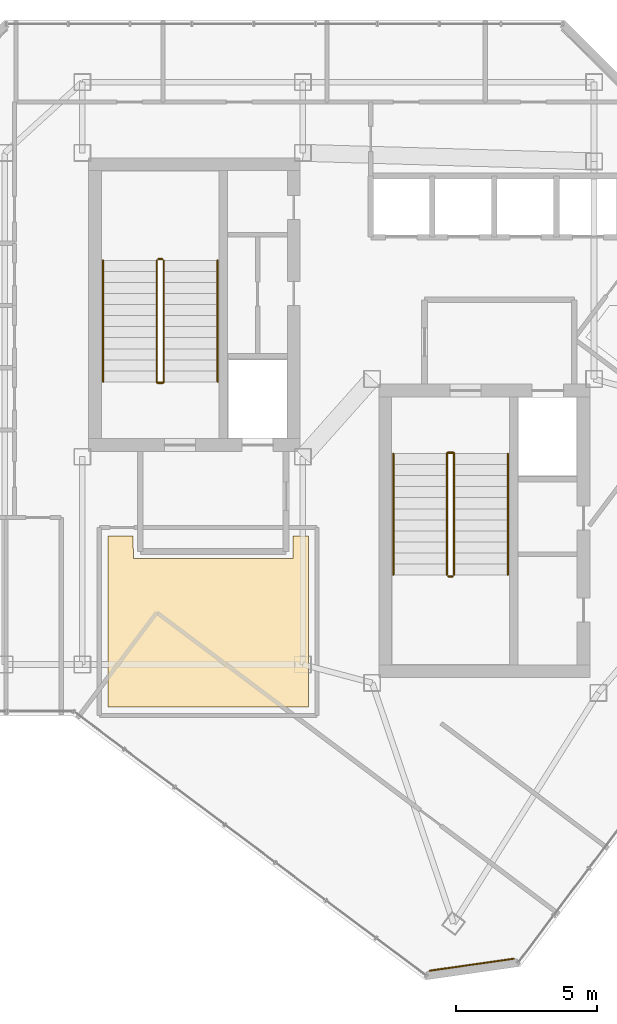
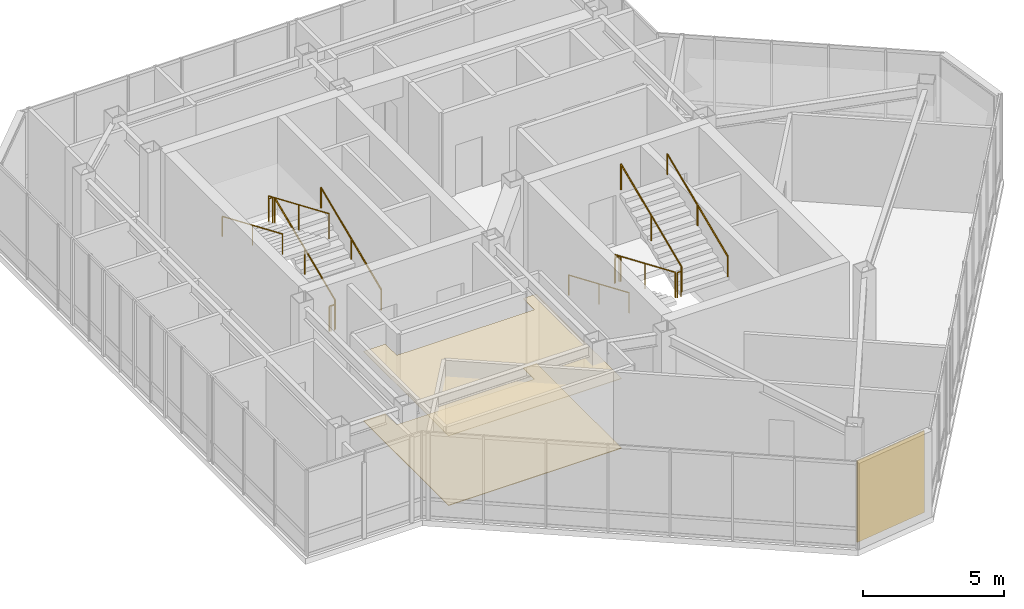
# One storey, part 28 of 29: 14 railings, 3 coverings.
"""IFC4 building model written with IfcOpenShell, lengths in metres."""

from ifc_helpers import new_model, si_unit, direction, frame, origin, origin_2d, place, context, subcontext, project, spatial, polyline, rectangle, circle, outline, extrude, material, layer, layer_set, type_object, element, save


model = new_model("IFC4")

# Units and contexts
model_context = context("Model", 3, precision=1e-05, world=origin(), true_north=direction((0.0, 1.0)))
body_context = subcontext(model_context, "Body", "Model", "MODEL_VIEW")
ifc_project = project(units=[si_unit("LENGTHUNIT", "METRE"), si_unit("AREAUNIT", "SQUARE_METRE"), si_unit("VOLUMEUNIT", "CUBIC_METRE"), si_unit("PLANEANGLEUNIT", "RADIAN"), si_unit("MASSUNIT", "GRAM", prefix="KILO")], contexts=[model_context])

# Site, building, storey
site_placement = place(None, origin())
site = spatial("IfcSite", under=ifc_project, at=site_placement, CompositionType="ELEMENT")
building_placement = place(site_placement, origin())
building = spatial("IfcBuilding", under=site, at=building_placement, Name="Hatsunagi Terrace Concourse", CompositionType="ELEMENT")
storey_placement = place(building_placement, frame((0.0, 0.0, 277.949951171875)))
storey = spatial("IfcBuildingStorey", under=building, at=storey_placement, Name="L73", CompositionType="ELEMENT", Elevation=277.949951171875)

# Coverings
ifc_material_1 = material(Name="Acoustic mineral board", Category="gypsum")
ifc_layer_1 = layer(ifc_material_1, 0.02001953125)
ifc_layer_set_1 = layer_set([ifc_layer_1], Name="AcousticMineralCeiling_20")
covering_type_1 = type_object("IfcCoveringType", Name="AcousticMineralCeiling_20", PredefinedType="CEILING", material=ifc_layer_set_1)
covering_1_placement = place(storey_placement, frame((0.0, 0.0, 3.02001953125)))
element("IfcCovering", 1, at=covering_1_placement, inside=storey, type_object=covering_type_1, Name="Suspended Ceiling L73-1", PredefinedType="CEILING", context=body_context, shape_type="SweptSolid", body=[
    extrude(outline(polyline([(33.550048828125, 29.75), (33.006103515625, 29.75), (32.9990234375, 28.94189453125), (27.35205078125, 28.94189453125), (27.343994140625, 29.75), (26.449951171875, 29.75), (26.449951171875, 23.699951171875), (33.550048828125, 23.699951171875), (33.550048828125, 29.75)])), origin(), (0.0, 0.0, 1.0), 0.02001953125),
])
ifc_material_2 = material(Name="Granite stone paving", Category="masonry")
ifc_layer_2 = layer(ifc_material_2, 0.02490234375)
ifc_layer_set_2 = layer_set([ifc_layer_2], Name="GraniteStoneFlooring_25")
covering_type_2 = type_object("IfcCoveringType", Name="GraniteStoneFlooring_25", PredefinedType="FLOORING", material=ifc_layer_set_2)
covering_2_placement = place(storey_placement, origin())
element("IfcCovering", 2, at=covering_2_placement, inside=storey, type_object=covering_type_2, Name="Finished Flooring L73-1", PredefinedType="FLOORING", context=body_context, shape_type="SweptSolid", body=[
    extrude(outline(polyline([(33.550048828125, 29.75), (33.006103515625, 29.75), (32.9990234375, 28.94189453125), (27.35205078125, 28.94189453125), (27.343994140625, 29.75), (26.449951171875, 29.75), (26.449951171875, 23.699951171875), (33.550048828125, 23.699951171875), (33.550048828125, 29.75)])), origin(), (0.0, 0.0, 1.0), 0.025146484375),
])

# Railings
ifc_material_3 = material(Name="Stainless steel", Category="steel")
ifc_layer_3 = layer(ifc_material_3, 0.044921875)
ifc_layer_set_3 = layer_set([ifc_layer_3], Name="StairPitchHandrail_Tower2000")
railing_type_1 = type_object("IfcRailingType", Name="StairPitchHandrail_Tower2000", PredefinedType="HANDRAIL", material=ifc_layer_set_3)
railing_1_placement = place(storey_placement, frame((30.330078125, 35.199951171875, 0.166748046875)))
element("IfcRailing", 3, at=railing_1_placement, inside=storey, type_object=railing_type_1, Name="L73 ST-A stair handrail 1", PredefinedType="HANDRAIL", context=body_context, shape_type="SweptSolid", body=[
    extrude(circle(Radius=0.02392578125, at=origin_2d()), frame((0.0, 0.0, 0.8759765625), z_axis=(0.0, 0.919558658016, 0.39295276366), x_axis=(-1.0, 0.0, 0.0)), (0.0, 0.0, 1.0), 4.665283203125),
    extrude(circle(Radius=0.02099609375, at=origin_2d()), origin(), (0.0, 0.0, 1.0), 0.851806640625),
    extrude(circle(Radius=0.02099609375, at=origin_2d()), frame((0.0, 2.14501953125, 0.91650390625)), (0.0, 0.0, 1.0), 0.851806640625),
    extrude(circle(Radius=0.02099609375, at=origin_2d()), frame((0.0, 4.2900390625, 1.833251953125)), (0.0, 0.0, 1.0), 0.851806640625),
])
railing_2_placement = place(storey_placement, frame((26.280029296875, 39.489990234375, 2.166748046875)))
element("IfcRailing", 4, at=railing_2_placement, inside=storey, type_object=railing_type_1, Name="L73 ST-A stair handrail 2", PredefinedType="HANDRAIL", context=body_context, shape_type="SweptSolid", body=[
    extrude(circle(Radius=0.02392578125, at=origin_2d()), frame((0.0, 0.0, 0.8759765625), z_axis=(0.0, -0.919558658016, 0.39295276366), x_axis=(1.0, 0.0, 0.0)), (0.0, 0.0, 1.0), 4.665283203125),
    extrude(circle(Radius=0.02099609375, at=origin_2d()), origin(), (0.0, 0.0, 1.0), 0.851806640625),
    extrude(circle(Radius=0.02099609375, at=origin_2d()), frame((0.0, -2.14501953125, 0.91650390625)), (0.0, 0.0, 1.0), 0.851806640625),
    extrude(circle(Radius=0.02099609375, at=origin_2d()), frame((0.0, -4.2900390625, 1.833251953125)), (0.0, 0.0, 1.0), 0.851806640625),
])
railing_3_placement = place(storey_placement, frame((36.550048828125, 32.659912109375, 0.166748046875)))
element("IfcRailing", 5, at=railing_3_placement, inside=storey, type_object=railing_type_1, Name="L73 ST-B stair handrail 1", PredefinedType="HANDRAIL", context=body_context, shape_type="SweptSolid", body=[
    extrude(circle(Radius=0.02392578125, at=origin_2d()), frame((0.0, 0.0, 0.8759765625), z_axis=(0.0, -0.919550576919, 0.392971673899), x_axis=(1.0, 0.0, 0.0)), (0.0, 0.0, 1.0), 4.6650390625),
    extrude(circle(Radius=0.02099609375, at=origin_2d()), origin(), (0.0, 0.0, 1.0), 0.851806640625),
    extrude(circle(Radius=0.02099609375, at=origin_2d()), frame((0.0, -2.14501953125, 0.91650390625)), (0.0, 0.0, 1.0), 0.851806640625),
    extrude(circle(Radius=0.02099609375, at=origin_2d()), frame((0.0, -4.289794921875, 1.833251953125)), (0.0, 0.0, 1.0), 0.851806640625),
])
railing_4_placement = place(storey_placement, frame((40.60009765625, 28.3701171875, 2.166748046875)))
element("IfcRailing", 6, at=railing_4_placement, inside=storey, type_object=railing_type_1, Name="L73 ST-B stair handrail 2", PredefinedType="HANDRAIL", context=body_context, shape_type="SweptSolid", body=[
    extrude(circle(Radius=0.02392578125, at=origin_2d()), frame((0.0, 0.0, 0.8759765625), z_axis=(0.0, 0.919550576919, 0.392971673899), x_axis=(-1.0, 0.0, 0.0)), (0.0, 0.0, 1.0), 4.6650390625),
    extrude(circle(Radius=0.02099609375, at=origin_2d()), origin(), (0.0, 0.0, 1.0), 0.851806640625),
    extrude(circle(Radius=0.02099609375, at=origin_2d()), frame((0.0, 2.14501953125, 0.91650390625)), (0.0, 0.0, 1.0), 0.851806640625),
    extrude(circle(Radius=0.02099609375, at=origin_2d()), frame((0.0, 4.289794921875, 1.833251953125)), (0.0, 0.0, 1.0), 0.851806640625),
])
ifc_material_4 = material(Name="Stainless steel", Category="steel")
ifc_layer_4 = layer(ifc_material_4, 0.06005859375)
ifc_layer_set_4 = layer_set([ifc_layer_4], Name="StairWellGuard_Tower2000")
railing_type_2 = type_object("IfcRailingType", Name="StairWellGuard_Tower2000", PredefinedType="BALUSTRADE", material=ifc_layer_set_4)
railing_5_placement = place(storey_placement, frame((28.429931640625, 35.199951171875, 0.166748046875)))
element("IfcRailing", 7, at=railing_5_placement, inside=storey, type_object=railing_type_2, Name="L73 ST-A stair guard 1", PredefinedType="BALUSTRADE", context=body_context, shape_type="SweptSolid", body=[
    extrude(circle(Radius=0.02392578125, at=origin_2d()), frame((0.0, 0.0, 1.09619140625), z_axis=(0.0, 0.919558658016, 0.39295276366), x_axis=(-1.0, 0.0, 0.0)), (0.0, 0.0, 1.0), 4.665283203125),
    extrude(circle(Radius=0.02099609375, at=origin_2d()), origin(), (0.0, 0.0, 1.0), 1.072021484375),
    extrude(circle(Radius=0.02099609375, at=origin_2d()), frame((0.0, 2.14501953125, 0.91650390625)), (0.0, 0.0, 1.0), 1.072021484375),
    extrude(circle(Radius=0.02099609375, at=origin_2d()), frame((0.0, 4.2900390625, 1.833251953125)), (0.0, 0.0, 1.0), 1.072021484375),
])
railing_6_placement = place(storey_placement, frame((28.3798828125, 39.5400390625, 2.0)))
element("IfcRailing", 8, at=railing_6_placement, inside=storey, type_object=railing_type_2, Name="L73 ST-A stair guard 2", PredefinedType="BALUSTRADE", context=body_context, shape_type="SweptSolid", body=[
    extrude(circle(Radius=0.02392578125, at=origin_2d()), frame((0.0, 0.0, 1.09619140625), z_axis=(-1.0, 0.0, 0.0), x_axis=(0.0, -1.0, 0.0)), (0.0, 0.0, 1.0), 0.14990234375),
    extrude(circle(Radius=0.02099609375, at=origin_2d()), origin(), (0.0, 0.0, 1.0), 1.072021484375),
    extrude(circle(Radius=0.02099609375, at=origin_2d()), frame((-0.14990234375, 0.0, 0.0)), (0.0, 0.0, 1.0), 1.072021484375),
])
railing_7_placement = place(storey_placement, frame((28.179931640625, 39.489990234375, 2.166748046875)))
element("IfcRailing", 9, at=railing_7_placement, inside=storey, type_object=railing_type_2, Name="L73 ST-A stair guard 3", PredefinedType="BALUSTRADE", context=body_context, shape_type="SweptSolid", body=[
    extrude(circle(Radius=0.02392578125, at=origin_2d()), frame((0.0, 0.0, 1.09619140625), z_axis=(0.0, -0.919558658016, 0.39295276366), x_axis=(1.0, 0.0, 0.0)), (0.0, 0.0, 1.0), 4.665283203125),
    extrude(circle(Radius=0.02099609375, at=origin_2d()), origin(), (0.0, 0.0, 1.0), 1.072021484375),
    extrude(circle(Radius=0.02099609375, at=origin_2d()), frame((0.0, -2.14501953125, 0.91650390625)), (0.0, 0.0, 1.0), 1.072021484375),
    extrude(circle(Radius=0.02099609375, at=origin_2d()), frame((0.0, -4.2900390625, 1.833251953125)), (0.0, 0.0, 1.0), 1.072021484375),
])
railing_8_placement = place(storey_placement, frame((28.3798828125, 35.14990234375, 0.0)))
element("IfcRailing", 10, at=railing_8_placement, inside=storey, type_object=railing_type_2, Name="L73 ST-A stair guard 4", PredefinedType="BALUSTRADE", context=body_context, shape_type="SweptSolid", body=[
    extrude(circle(Radius=0.02392578125, at=origin_2d()), frame((0.0, 0.0, 1.09619140625), z_axis=(-1.0, 0.0, 0.0), x_axis=(0.0, -1.0, 0.0)), (0.0, 0.0, 1.0), 0.14990234375),
    extrude(circle(Radius=0.02099609375, at=origin_2d()), origin(), (0.0, 0.0, 1.0), 1.072021484375),
    extrude(circle(Radius=0.02099609375, at=origin_2d()), frame((-0.14990234375, 0.0, 0.0)), (0.0, 0.0, 1.0), 1.072021484375),
])
railing_9_placement = place(storey_placement, frame((38.449951171875, 32.659912109375, 0.166748046875)))
element("IfcRailing", 11, at=railing_9_placement, inside=storey, type_object=railing_type_2, Name="L73 ST-B stair guard 1", PredefinedType="BALUSTRADE", context=body_context, shape_type="SweptSolid", body=[
    extrude(circle(Radius=0.02392578125, at=origin_2d()), frame((0.0, 0.0, 1.09619140625), z_axis=(0.0, -0.919550576919, 0.392971673899), x_axis=(1.0, 0.0, 0.0)), (0.0, 0.0, 1.0), 4.6650390625),
    extrude(circle(Radius=0.02099609375, at=origin_2d()), origin(), (0.0, 0.0, 1.0), 1.072021484375),
    extrude(circle(Radius=0.02099609375, at=origin_2d()), frame((0.0, -2.14501953125, 0.91650390625)), (0.0, 0.0, 1.0), 1.072021484375),
    extrude(circle(Radius=0.02099609375, at=origin_2d()), frame((0.0, -4.289794921875, 1.833251953125)), (0.0, 0.0, 1.0), 1.072021484375),
])
railing_10_placement = place(storey_placement, frame((38.5, 28.320068359375, 2.0)))
element("IfcRailing", 12, at=railing_10_placement, inside=storey, type_object=railing_type_2, Name="L73 ST-B stair guard 2", PredefinedType="BALUSTRADE", context=body_context, shape_type="SweptSolid", body=[
    extrude(circle(Radius=0.02392578125, at=origin_2d()), frame((0.0, 0.0, 1.09619140625), z_axis=(1.0, 0.0, 0.0), x_axis=(0.0, 1.0, 0.0)), (0.0, 0.0, 1.0), 0.14990234375),
    extrude(circle(Radius=0.02099609375, at=origin_2d()), origin(), (0.0, 0.0, 1.0), 1.072021484375),
    extrude(circle(Radius=0.02099609375, at=origin_2d()), frame((0.14990234375, 0.0, 0.0)), (0.0, 0.0, 1.0), 1.072021484375),
])
railing_11_placement = place(storey_placement, frame((38.699951171875, 28.3701171875, 2.166748046875)))
element("IfcRailing", 13, at=railing_11_placement, inside=storey, type_object=railing_type_2, Name="L73 ST-B stair guard 3", PredefinedType="BALUSTRADE", context=body_context, shape_type="SweptSolid", body=[
    extrude(circle(Radius=0.02392578125, at=origin_2d()), frame((0.0, 0.0, 1.09619140625), z_axis=(0.0, 0.919550576919, 0.392971673899), x_axis=(-1.0, 0.0, 0.0)), (0.0, 0.0, 1.0), 4.6650390625),
    extrude(circle(Radius=0.02099609375, at=origin_2d()), origin(), (0.0, 0.0, 1.0), 1.072021484375),
    extrude(circle(Radius=0.02099609375, at=origin_2d()), frame((0.0, 2.14501953125, 0.91650390625)), (0.0, 0.0, 1.0), 1.072021484375),
    extrude(circle(Radius=0.02099609375, at=origin_2d()), frame((0.0, 4.289794921875, 1.833251953125)), (0.0, 0.0, 1.0), 1.072021484375),
])
railing_12_placement = place(storey_placement, frame((38.5, 32.7099609375, 0.0)))
element("IfcRailing", 14, at=railing_12_placement, inside=storey, type_object=railing_type_2, Name="L73 ST-B stair guard 4", PredefinedType="BALUSTRADE", context=body_context, shape_type="SweptSolid", body=[
    extrude(circle(Radius=0.02392578125, at=origin_2d()), frame((0.0, 0.0, 1.09619140625), z_axis=(1.0, 0.0, 0.0), x_axis=(0.0, 1.0, 0.0)), (0.0, 0.0, 1.0), 0.14990234375),
    extrude(circle(Radius=0.02099609375, at=origin_2d()), origin(), (0.0, 0.0, 1.0), 1.072021484375),
    extrude(circle(Radius=0.02099609375, at=origin_2d()), frame((0.14990234375, 0.0, 0.0)), (0.0, 0.0, 1.0), 1.072021484375),
])
ifc_material_5 = material(Name="Stainless Steel SUS316 Post-and-Rail Guard", Category="steel")
ifc_layer_5 = layer(ifc_material_5, 0.080078125)
ifc_layer_set_5 = layer_set([ifc_layer_5], Name="TerracePlantedGuardRail_1200")
railing_type_3 = type_object("IfcRailingType", Name="TerracePlantedGuardRail_1200", PredefinedType="GUARDRAIL", material=ifc_layer_set_5)
for number, where, name in (
    (15, (28.179931640625, 35.179931640625, 0.0), "Stair ST-A Well Closure Guard L73"),
    (16, (38.449951171875, 32.679931640625, 0.0), "Stair ST-B Well Closure Guard L73"),
):
    element("IfcRailing", number, at=place(storey_placement, frame(where)), inside=storey, type_object=railing_type_3, Name=name, PredefinedType="GUARDRAIL", context=body_context, shape_type="SweptSolid", body=[
        extrude(circle(Radius=0.02392578125, at=origin_2d()), frame((0.0, 0.0, 1.09619140625), z_axis=(1.0, 0.0, 0.0), x_axis=(0.0, 1.0, 0.0)), (0.0, 0.0, 1.0), 0.25),
        extrude(circle(Radius=0.02099609375, at=origin_2d()), origin(), (0.0, 0.0, 1.0), 1.072021484375),
        extrude(circle(Radius=0.02099609375, at=origin_2d()), frame((0.25, 0.0, 0.0)), (0.0, 0.0, 1.0), 1.072021484375),
    ])

# Covering
ifc_material_6 = material(Name="Unglazed Warm Terracotta Rainscreen Tile", Category="masonry")
ifc_layer_6 = layer(ifc_material_6, 0.044921875)
ifc_layer_set_6 = layer_set([ifc_layer_6], Name="TerracottaRainscreenCladding_45")
covering_type_3 = type_object("IfcCoveringType", Name="TerracottaRainscreenCladding_45", PredefinedType="CLADDING", material=ifc_layer_set_6)
covering_3_placement = place(storey_placement, frame((39.318115234375, 14.5791015625, 0.10009765625), z_axis=(0.0, 0.0, 1.0), x_axis=(-0.989973920543, -0.141250262458, 0.0)))
element("IfcCovering", 17, at=covering_3_placement, inside=storey, type_object=covering_type_3, Name="Terracotta Rainscreen Cladding L73-04", PredefinedType="CLADDING", context=body_context, shape_type="SweptSolid", body=[
    extrude(rectangle(XDim=3.0380859375, YDim=0.044921875, at=origin_2d()), origin(), (0.0, 0.0, 1.0), 3.5400390625),
])

save(model, "model.ifc")
